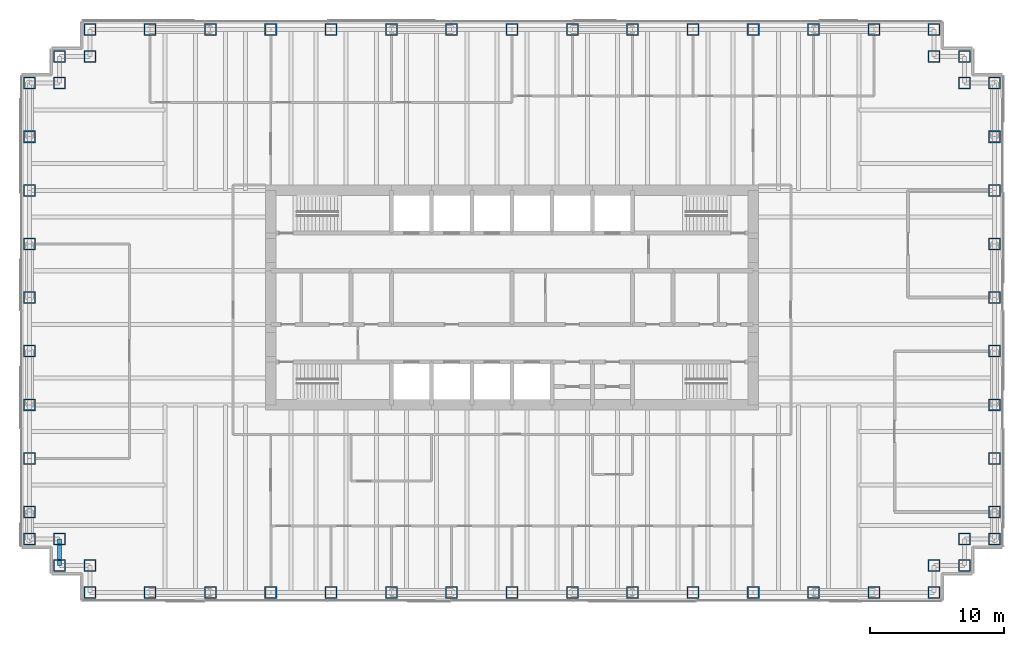
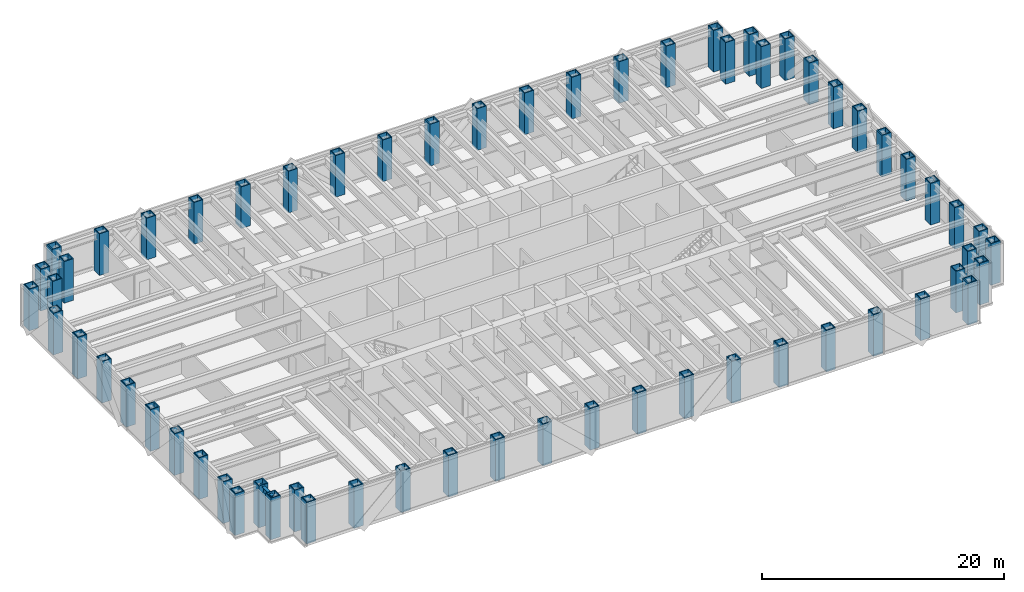
# One storey, part 1 of 16: 62 columns, 1 beam.
"""IFC4 building model written with IfcOpenShell, lengths in metres."""

from ifc_helpers import new_model, si_unit, direction, frame, origin, origin_2d, place, context, subcontext, project, spatial, hollow_rectangle, i_section, extrude, material, material_profile, profile_set, type_object, element, save


model = new_model("IFC4")

# Units and contexts
model_context = context("Model", 3, precision=1e-05, world=origin(), true_north=direction((0.0, 1.0)))
body_context = subcontext(model_context, "Body", "Model", "MODEL_VIEW")
ifc_project = project(units=[si_unit("LENGTHUNIT", "METRE"), si_unit("AREAUNIT", "SQUARE_METRE"), si_unit("VOLUMEUNIT", "CUBIC_METRE"), si_unit("PLANEANGLEUNIT", "RADIAN"), si_unit("MASSUNIT", "GRAM", prefix="KILO")], contexts=[model_context])

# Site, building, storey
site_placement = place(None, origin())
site = spatial("IfcSite", under=ifc_project, at=site_placement, CompositionType="ELEMENT")
building_placement = place(site_placement, origin())
building = spatial("IfcBuilding", under=site, at=building_placement, Name="Rheinbord Bourse Tower", CompositionType="ELEMENT")
storey_placement = place(building_placement, frame((0.0, 0.0, 219.39990234375)))
storey = spatial("IfcBuildingStorey", under=building, at=storey_placement, Name="L49", CompositionType="ELEMENT", Elevation=219.39990234375)

# Columns
ifc_material_1 = material(Name="Steel S460M", Category="steel")
ifc_material_profile_1 = material_profile(ifc_material_1, hollow_rectangle(XDim=0.89990234375, YDim=0.89990234375, WallThickness=0.080078125, at=origin_2d()), Name="BOX 900x900x80")
ifc_profile_set_1 = profile_set([ifc_material_profile_1], Name="Steel S460M")
column_type = type_object("IfcColumnType", Name="TUBE COLUMN BOX 900x900x80", PredefinedType="COLUMN", material=ifc_profile_set_1)
for number, where, z_axis, x_axis, name in (
    (1, (4.5, 2.0, 0.0), (0.0, 0.0, 1.0), (0.0, 1.0, 0.0), "Column SW-E L49"),
    (2, (9.0, 2.0, 0.0), (0.0, 0.0, 1.0), (0.0, 1.0, 0.0), "Column S-9 L49"),
    (3, (13.5, 2.0, 0.0), (0.0, 0.0, 1.0), (0.0, 1.0, 0.0), "Column S-13.5 L49"),
    (4, (18.0, 2.0, 0.0), (0.0, 0.0, 1.0), (0.0, 1.0, 0.0), "Column S-18 L49"),
    (5, (22.5, 2.0, 0.0), (0.0, 0.0, 1.0), (0.0, 1.0, 0.0), "Column S-22.5 L49"),
    (6, (27.0, 2.0, 0.0), (0.0, 0.0, 1.0), (0.0, 1.0, 0.0), "Column S-27 L49"),
    (7, (31.5, 2.0, 0.0), (0.0, 0.0, 1.0), (0.0, 1.0, 0.0), "Column S-31.5 L49"),
    (8, (36.0, 2.0, 0.0), (0.0, 0.0, 1.0), (0.0, 1.0, 0.0), "Column S-36 L49"),
    (9, (40.5, 2.0, 0.0), (0.0, 0.0, 1.0), (0.0, 1.0, 0.0), "Column S-40.5 L49"),
    (10, (45.0, 2.0, 0.0), (0.0, 0.0, 1.0), (0.0, 1.0, 0.0), "Column S-45 L49"),
    (11, (49.5, 2.0, 0.0), (0.0, 0.0, 1.0), (0.0, 1.0, 0.0), "Column S-49.5 L49"),
    (12, (54.0, 2.0, 0.0), (0.0, 0.0, 1.0), (0.0, 1.0, 0.0), "Column S-54 L49"),
    (13, (58.5, 2.0, 0.0), (0.0, 0.0, 1.0), (0.0, 1.0, 0.0), "Column S-58.5 L49"),
    (14, (63.0, 2.0, 0.0), (0.0, 0.0, 1.0), (0.0, 1.0, 0.0), "Column S-63 L49"),
    (15, (67.5, 2.0, 0.0), (0.0, 0.0, 1.0), (0.0, 1.0, 0.0), "Column SE-E L49"),
    (16, (67.5, 4.0, 0.0), (0.0, 0.0, 1.0), (0.0, 1.0, 0.0), "Column SE-D L49"),
    (17, (69.75, 4.0, 0.0), (0.0, 0.0, 1.0), (1.0, 0.0, 0.0), "Column SE-C L49"),
    (18, (69.75, 6.0, 0.0), (0.0, 0.0, 1.0), (1.0, 0.0, 0.0), "Column SE-B L49"),
    (19, (72.0, 6.0, 0.0), (0.0, 0.0, 1.0), (1.0, 0.0, 0.0), "Column SE-A L49"),
    (20, (72.0, 8.0, 0.0), (0.0, 0.0, 1.0), (1.0, 0.0, 0.0), "Column E-8 L49"),
    (21, (72.0, 12.0, 0.0), (0.0, 0.0, 1.0), (1.0, 0.0, 0.0), "Column E-12 L49"),
    (22, (72.0, 16.0, 0.0), (0.0, 0.0, 1.0), (1.0, 0.0, 0.0), "Column E-16 L49"),
    (23, (72.0, 20.0, 0.0), (0.0, 0.0, 1.0), (1.0, 0.0, 0.0), "Column E-20 L49"),
    (24, (72.0, 24.0, 0.0), (0.0, 0.0, 1.0), (1.0, 0.0, 0.0), "Column E-24 L49"),
    (25, (72.0, 28.0, 0.0), (0.0, 0.0, 1.0), (1.0, 0.0, 0.0), "Column E-28 L49"),
    (26, (72.0, 32.0, 0.0), (0.0, 0.0, 1.0), (1.0, 0.0, 0.0), "Column E-32 L49"),
    (27, (72.0, 36.0, 0.0), (0.0, 0.0, 1.0), (1.0, 0.0, 0.0), "Column E-36 L49"),
    (28, (72.0, 40.0, 0.0), (0.0, 0.0, 1.0), (1.0, 0.0, 0.0), "Column NE-A L49"),
    (29, (69.75, 40.0, 0.0), (0.0, 0.0, 1.0), (1.0, 0.0, 0.0), "Column NE-B L49"),
    (30, (69.75, 42.0, 0.0), (0.0, 0.0, 1.0), (1.0, 0.0, 0.0), "Column NE-C L49"),
    (31, (67.5, 42.0, 0.0), (0.0, 0.0, 1.0), (0.0, 1.0, 0.0), "Column NE-D L49"),
    (32, (67.5, 44.0, 0.0), (0.0, 0.0, 1.0), (0.0, 1.0, 0.0), "Column NE-E L49"),
    (33, (63.0, 44.0, 0.0), (0.0, 0.0, 1.0), (0.0, 1.0, 0.0), "Column N-63 L49"),
    (34, (58.5, 44.0, 0.0), (0.0, 0.0, 1.0), (0.0, 1.0, 0.0), "Column N-58.5 L49"),
    (35, (54.0, 44.0, 0.0), (0.0, 0.0, 1.0), (0.0, 1.0, 0.0), "Column N-54 L49"),
    (36, (49.5, 44.0, 0.0), (0.0, 0.0, 1.0), (0.0, 1.0, 0.0), "Column N-49.5 L49"),
    (37, (45.0, 44.0, 0.0), (0.0, 0.0, 1.0), (0.0, 1.0, 0.0), "Column N-45 L49"),
    (38, (40.5, 44.0, 0.0), (0.0, 0.0, 1.0), (0.0, 1.0, 0.0), "Column N-40.5 L49"),
    (39, (36.0, 44.0, 0.0), (0.0, 0.0, 1.0), (0.0, 1.0, 0.0), "Column N-36 L49"),
    (40, (31.5, 44.0, 0.0), (0.0, 0.0, 1.0), (0.0, 1.0, 0.0), "Column N-31.5 L49"),
    (41, (27.0, 44.0, 0.0), (0.0, 0.0, 1.0), (0.0, 1.0, 0.0), "Column N-27 L49"),
    (42, (22.5, 44.0, 0.0), (0.0, 0.0, 1.0), (0.0, 1.0, 0.0), "Column N-22.5 L49"),
    (43, (18.0, 44.0, 0.0), (0.0, 0.0, 1.0), (0.0, 1.0, 0.0), "Column N-18 L49"),
    (44, (13.5, 44.0, 0.0), (0.0, 0.0, 1.0), (0.0, 1.0, 0.0), "Column N-13.5 L49"),
    (45, (9.0, 44.0, 0.0), (0.0, 0.0, 1.0), (0.0, 1.0, 0.0), "Column N-9 L49"),
    (46, (4.5, 44.0, 0.0), (0.0, 0.0, 1.0), (0.0, 1.0, 0.0), "Column NW-E L49"),
    (47, (4.5, 42.0, 0.0), (0.0, 0.0, 1.0), (0.0, 1.0, 0.0), "Column NW-D L49"),
    (48, (2.25, 42.0, 0.0), (0.0, 0.0, 1.0), (1.0, 0.0, 0.0), "Column NW-C L49"),
    (49, (2.25, 40.0, 0.0), (0.0, 0.0, 1.0), (1.0, 0.0, 0.0), "Column NW-B L49"),
    (50, (0.0, 40.0, 0.0), (0.0, 0.0, 1.0), (1.0, 0.0, 0.0), "Column NW-A L49"),
    (51, (0.0, 36.0, 0.0), (0.0, 0.0, 1.0), (1.0, 0.0, 0.0), "Column W-36 L49"),
    (52, (0.0, 32.0, 0.0), (0.0, 0.0, 1.0), (1.0, 0.0, 0.0), "Column W-32 L49"),
    (53, (0.0, 28.0, 0.0), (0.0, 0.0, 1.0), (1.0, 0.0, 0.0), "Column W-28 L49"),
    (54, (0.0, 24.0, 0.0), (0.0, 0.0, 1.0), (1.0, 0.0, 0.0), "Column W-24 L49"),
    (55, (0.0, 20.0, 0.0), (0.0, 0.0, 1.0), (1.0, 0.0, 0.0), "Column W-20 L49"),
    (56, (0.0, 16.0, 0.0), (0.0, 0.0, 1.0), (1.0, 0.0, 0.0), "Column W-16 L49"),
    (57, (0.0, 12.0, 0.0), (0.0, 0.0, 1.0), (1.0, 0.0, 0.0), "Column W-12 L49"),
    (58, (0.0, 8.0, 0.0), (0.0, 0.0, 1.0), (1.0, 0.0, 0.0), "Column W-8 L49"),
    (59, (0.0, 6.0, 0.0), (0.0, 0.0, 1.0), (1.0, 0.0, 0.0), "Column SW-A L49"),
    (60, (2.25, 6.0, 0.0), (0.0, 0.0, 1.0), (1.0, 0.0, 0.0), "Column SW-B L49"),
    (61, (2.25, 4.0, 0.0), (0.0, 0.0, 1.0), (1.0, 0.0, 0.0), "Column SW-C L49"),
    (62, (4.5, 4.0, 0.0), (0.0, 0.0, 1.0), (0.0, 1.0, 0.0), "Column SW-D L49"),
):
    element("IfcColumn", number, at=place(storey_placement, frame(where, z_axis=z_axis, x_axis=x_axis)), inside=storey, type_object=column_type, Name=name, PredefinedType="COLUMN", context=body_context, shape_type="SweptSolid", body=[
        extrude(hollow_rectangle(XDim=0.89990234375, YDim=0.89990234375, WallThickness=0.080078125, at=origin_2d()), origin(), (0.0, 0.0, 1.0), 4.2001953125),
    ])

# Beam
ifc_material_2 = material(Name="Steel S460", Category="steel")
ifc_material_profile_2 = material_profile(ifc_material_2, i_section(OverallWidth=0.300048828125, OverallDepth=0.60009765625, WebThickness=0.015380859375, FlangeThickness=0.030029296875, at=origin_2d()), Name="HEB 600")
ifc_profile_set_2 = profile_set([ifc_material_profile_2], Name="Steel S460")
beam_type = type_object("IfcBeamType", Name="SPANDREL HEB 600", PredefinedType="SPANDREL", material=ifc_profile_set_2)
beam_placement = place(storey_placement, frame((2.25, 6.0, 3.739990234375), z_axis=(0.0, -1.0, 0.0), x_axis=(1.0, 0.0, 0.0)))
element("IfcBeam", 63, at=beam_placement, inside=storey, type_object=beam_type, Name="Spandrel SW-B-SW-C under L50", PredefinedType="SPANDREL", context=body_context, shape_type="SweptSolid", body=[
    extrude(i_section(OverallWidth=0.300048828125, OverallDepth=0.60009765625, WebThickness=0.015380859375, FlangeThickness=0.030029296875, at=origin_2d()), origin(), (0.0, 0.0, 1.0), 2.0),
])

save(model, "model.ifc")
